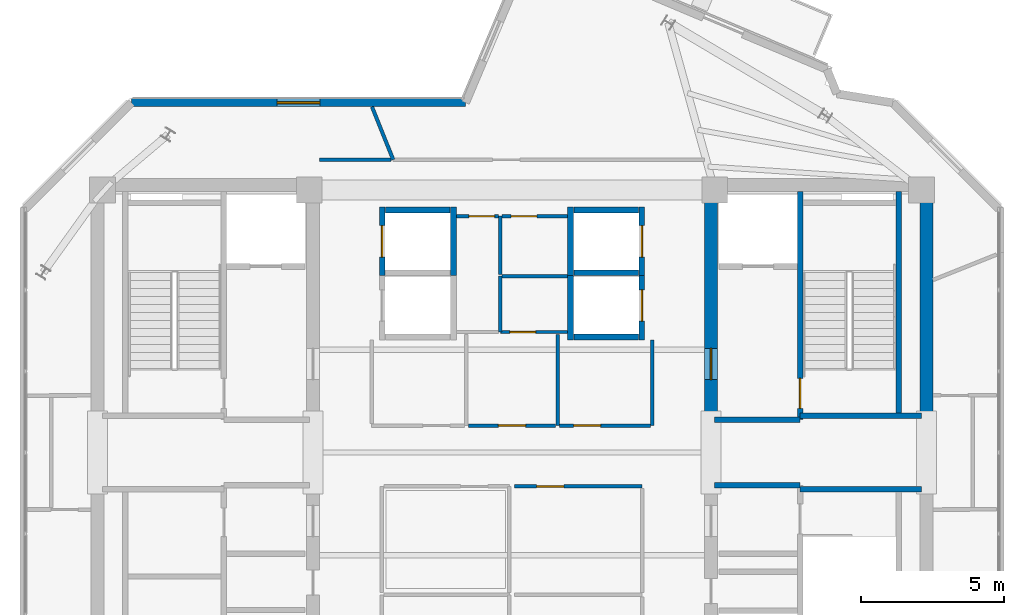
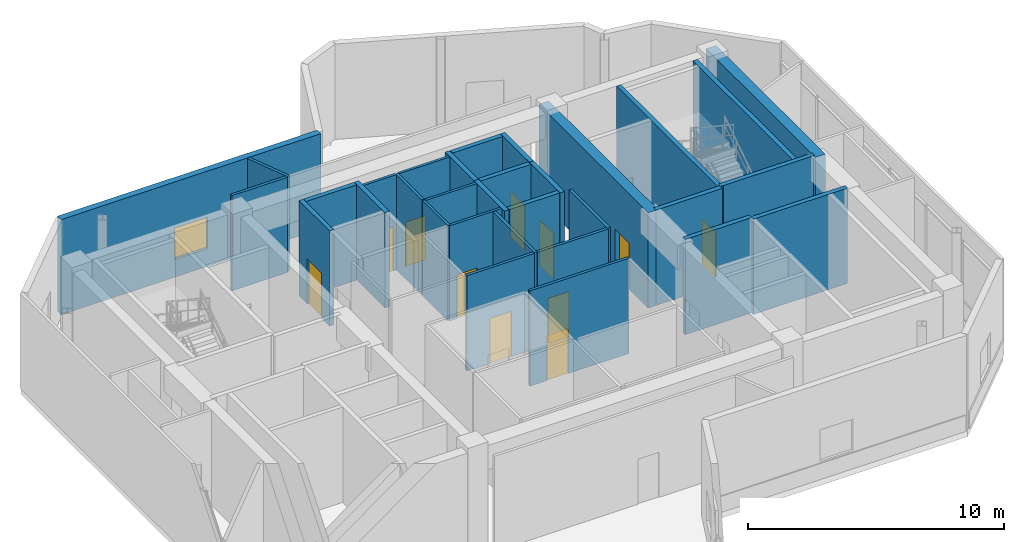
# One storey, part 8 of 11: 32 walls, 11 doors, 1 window, 12 openings.
"""IFC4 building model written with IfcOpenShell, lengths in metres."""

from ifc_helpers import new_model, si_unit, direction, frame, frame_2d, origin, place, context, subcontext, project, spatial, rectangle, extrude, source, transform, mapped, material, layer, layer_set, type_object, element, fill, save


model = new_model("IFC4")

# Units and contexts
model_context = context("Model", 3, precision=1e-05, world=origin(), true_north=direction((0.0, 1.0)))
body_context = subcontext(model_context, "Body", "Model", "MODEL_VIEW")
ifc_project = project(units=[si_unit("LENGTHUNIT", "METRE"), si_unit("AREAUNIT", "SQUARE_METRE"), si_unit("VOLUMEUNIT", "CUBIC_METRE"), si_unit("PLANEANGLEUNIT", "RADIAN"), si_unit("MASSUNIT", "GRAM", prefix="KILO")], contexts=[model_context])

# Site, building, storey
site_placement = place(None, origin())
site = spatial("IfcSite", under=ifc_project, at=site_placement, CompositionType="ELEMENT")
building_placement = place(site_placement, origin())
building = spatial("IfcBuilding", under=site, at=building_placement, Name="Zahravan Cultural Tower", CompositionType="ELEMENT")
storey_placement = place(building_placement, frame((0.0, 0.0, 365.85009765625)))
storey = spatial("IfcBuildingStorey", under=building, at=storey_placement, Name="L89", CompositionType="ELEMENT", Elevation=365.85009765625)

# Wall, opening, door
ifc_material_1 = material(Name="Concrete C50/60", Category="concrete")
ifc_layer_1 = layer(ifc_material_1, 0.449951171875)
ifc_layer_set_1 = layer_set([ifc_layer_1], Name="Concrete C50/60")
wall_type_1 = type_object("IfcWallType", Name="CW-SHEAR-450-C50", PredefinedType="SHEAR", material=ifc_layer_set_1)
wall_1_placement = place(storey_placement, frame((42.97509765625, 28.050048828125, 0.0), z_axis=(0.0, 0.0, 1.0), x_axis=(0.0, 1.0, 0.0)))
wall_1 = element("IfcWall", 1, at=wall_1_placement, inside=storey, type_object=wall_type_1, Name="L89 Core Shear Wall CW-E-WN-L89", PredefinedType="SHEAR", context=body_context, shape_type="SweptSolid", body=[
    extrude(rectangle(XDim=8.550048828125, YDim=0.449951171875, at=frame_2d((4.27490234375, 0.0))), origin(), (0.0, 0.0, 1.0), 4.5498046875),
])
opening_1_placement = place(wall_1_placement, frame((1.5, 0.0, 0.0)))
opening_1 = element("IfcOpeningElement", 2, at=opening_1_placement, cuts=wall_1, Name="Opening D-L89-07", PredefinedType="OPENING", context=body_context, shape_type="SweptSolid", body=[
    extrude(rectangle(XDim=1.10009765625, YDim=2.199951171875, at=frame_2d((0.550048828125, 1.10009765625))), frame((0.0, 0.23486328125, 0.0), z_axis=(0.0, -1.0, 0.0), x_axis=(1.0, 0.0, 0.0)), (0.0, 0.0, 1.0), 0.469970703125),
])
ifc_material_2 = material(Name="Steel ASTM A572 Grade 50", Category="steel")
door_type_1 = type_object("IfcDoorType", Name="DR-LOBBY-1100", OperationType="NOTDEFINED", PredefinedType="DOOR", material=ifc_material_2)
shared_shape_1 = source(origin(), body_context, "Body", "SweptSolid", [
    extrude(rectangle(XDim=1.10009765625, YDim=2.199951171875, at=frame_2d((0.550048828125, 1.10009765625))), frame((0.0, 0.02490234375, 0.0), z_axis=(0.0, -1.0, 0.0), x_axis=(1.0, 0.0, 0.0)), (0.0, 0.0, 1.0), 0.050048828125),
])
door_1_placement = place(opening_1_placement, origin())
door_1 = element("IfcDoor", 3, at=door_1_placement, inside=storey, type_object=door_type_1, Name="L89 Door D-L89-07", OperationType="SINGLE_SWING_RIGHT", OverallHeight=2.199951171875, OverallWidth=1.10009765625, PredefinedType="DOOR", context=body_context, shape_type="MappedRepresentation", body=[
    mapped(shared_shape_1, transform((0.0, 0.0, 0.0), x_axis=(1.0, 0.0, 0.0), y_axis=(0.0, 1.0, 0.0), z_axis=(0.0, 0.0, 1.0), scale=1.0)),
])
fill(opening_1, door_1)

# Wall, opening, window
ifc_material_3 = material(Name="Precast concrete C40/50", Category="concrete")
ifc_layer_2 = layer(ifc_material_3, 0.280029296875)
ifc_layer_set_2 = layer_set([ifc_layer_2], Name="Precast concrete C40/50")
wall_type_2 = type_object("IfcWallType", Name="EW-TC-280", PredefinedType="SOLIDWALL", material=ifc_layer_set_2)
wall_2_placement = place(storey_placement, frame((22.657958984375, 39.260009765625, 0.0), z_axis=(0.0, 0.0, 1.0), x_axis=(1.0, 0.0, 0.0)))
wall_2 = element("IfcWall", 4, at=wall_2_placement, inside=storey, type_object=wall_type_2, Name="L89 Exterior Masonry Frame Wall 16", PredefinedType="SOLIDWALL", context=body_context, shape_type="SweptSolid", body=[
    extrude(rectangle(XDim=11.715087890625, YDim=0.280029296875, at=frame_2d((5.857421875, 0.0))), origin(), (0.0, 0.0, 1.0), 4.5498046875),
])
opening_2_placement = place(wall_2_placement, frame((5.10791015625, 0.0, 0.85009765625)))
opening_2 = element("IfcOpeningElement", 5, at=opening_2_placement, cuts=wall_2, Name="Opening WN-03", PredefinedType="OPENING", context=body_context, shape_type="SweptSolid", body=[
    extrude(rectangle(XDim=1.5, YDim=1.5, at=frame_2d((0.75, 0.75))), frame((0.0, 0.14990234375, 0.0), z_axis=(0.0, -1.0, 0.0), x_axis=(1.0, 0.0, 0.0)), (0.0, 0.0, 1.0), 0.300048828125),
])
ifc_material_4 = material(Name="Low-E solar-control double glazing", Category="glass")
window_type = type_object("IfcWindowType", Name="WN-REC-1500X1500", PartitioningType="SINGLE_PANEL", PredefinedType="WINDOW", material=ifc_material_4)
shared_shape_2 = source(origin(), body_context, "Body", "SweptSolid", [
    extrude(rectangle(XDim=1.5, YDim=1.5, at=frame_2d((0.75, 0.75))), frame((0.0, 0.030029296875, 0.0), z_axis=(0.0, -1.0, 0.0), x_axis=(1.0, 0.0, 0.0)), (0.0, 0.0, 1.0), 0.06005859375),
])
window_placement = place(opening_2_placement, origin())
window = element("IfcWindow", 6, at=window_placement, inside=storey, type_object=window_type, Name="L89 Recessed Solar Window 08", OverallHeight=1.5, OverallWidth=1.5, PartitioningType="SINGLE_PANEL", PredefinedType="WINDOW", context=body_context, shape_type="MappedRepresentation", body=[
    mapped(shared_shape_2, transform((0.0, 0.0, 0.0), x_axis=(1.0, 0.0, 0.0), y_axis=(0.0, 1.0, 0.0), z_axis=(0.0, 0.0, 1.0), scale=1.0)),
])
fill(opening_2, window)

# Wall, opening, door
ifc_material_5 = material(Name="Gypsum plasterboard partition")
ifc_layer_3 = layer(ifc_material_5, 0.125)
ifc_layer_set_3 = layer_set([ifc_layer_3], Name="Gypsum plasterboard partition")
wall_type_3 = type_object("IfcWallType", Name="W-PART-125", PredefinedType="PARTITIONING", material=ifc_layer_set_3)
wall_3_placement = place(storey_placement, frame((37.532470703125, 27.93994140625, 0.0), z_axis=(0.0, 0.0, 1.0), x_axis=(-1.0, 0.0, 0.0)))
wall_3 = element("IfcWall", 7, at=wall_3_placement, inside=storey, type_object=wall_type_3, Name="L89 Interior Wall 053", PredefinedType="PARTITIONING", context=body_context, shape_type="SweptSolid", body=[
    extrude(rectangle(XDim=3.06494140625, YDim=0.125, at=frame_2d((1.532470703125, 0.0))), origin(), (0.0, 0.0, 1.0), 4.5498046875),
])
opening_3_placement = place(wall_3_placement, frame((1.0576171875, 0.0, 0.0)))
opening_3 = element("IfcOpeningElement", 8, at=opening_3_placement, cuts=wall_3, Name="Opening D-L89-21", PredefinedType="OPENING", context=body_context, shape_type="SweptSolid", body=[
    extrude(rectangle(XDim=0.949951171875, YDim=2.14990234375, at=frame_2d((0.47509765625, 1.074951171875))), frame((0.0, 0.072509765625, 0.0), z_axis=(0.0, -1.0, 0.0), x_axis=(1.0, 0.0, 0.0)), (0.0, 0.0, 1.0), 0.14501953125),
])
ifc_material_6 = material(Name="Anodised bronze-aluminium mullion", Category="aluminium")
door_type_2 = type_object("IfcDoorType", Name="DR-ROOM-950", OperationType="NOTDEFINED", PredefinedType="DOOR", material=ifc_material_6)
shared_shape_3 = source(origin(), body_context, "Body", "SweptSolid", [
    extrude(rectangle(XDim=0.949951171875, YDim=2.14990234375, at=frame_2d((0.47509765625, 1.074951171875))), frame((0.0, 0.02490234375, 0.0), z_axis=(0.0, -1.0, 0.0), x_axis=(1.0, 0.0, 0.0)), (0.0, 0.0, 1.0), 0.050048828125),
])
door_2_placement = place(opening_3_placement, origin())
door_2 = element("IfcDoor", 9, at=door_2_placement, inside=storey, type_object=door_type_2, Name="L89 Door D-L89-21", OperationType="SINGLE_SWING_RIGHT", OverallHeight=2.14990234375, OverallWidth=0.949951171875, PredefinedType="DOOR", context=body_context, shape_type="MappedRepresentation", body=[
    mapped(shared_shape_3, transform((0.0, 0.0, 0.0), x_axis=(1.0, 0.0, 0.0), y_axis=(0.0, 1.0, 0.0), z_axis=(0.0, 0.0, 1.0), scale=1.0)),
])
fill(opening_3, door_2)

wall_4_placement = place(storey_placement, frame((40.8525390625, 27.93994140625, 0.0), z_axis=(0.0, 0.0, 1.0), x_axis=(-1.0, 0.0, 0.0)))
wall_4 = element("IfcWall", 10, at=wall_4_placement, inside=storey, type_object=wall_type_3, Name="L89 Interior Wall 057", PredefinedType="PARTITIONING", context=body_context, shape_type="SweptSolid", body=[
    extrude(rectangle(XDim=3.18505859375, YDim=0.125, at=frame_2d((1.592529296875, 0.0))), origin(), (0.0, 0.0, 1.0), 4.5498046875),
])
opening_4_placement = place(wall_4_placement, frame((1.743408203125, 0.0, 0.0)))
opening_4 = element("IfcOpeningElement", 11, at=opening_4_placement, cuts=wall_4, Name="Opening D-L89-22", PredefinedType="OPENING", context=body_context, shape_type="SweptSolid", body=[
    extrude(rectangle(XDim=0.949951171875, YDim=2.14990234375, at=frame_2d((0.47509765625, 1.074951171875))), frame((0.0, 0.072509765625, 0.0), z_axis=(0.0, -1.0, 0.0), x_axis=(1.0, 0.0, 0.0)), (0.0, 0.0, 1.0), 0.14501953125),
])
door_3_placement = place(opening_4_placement, origin())
door_3 = element("IfcDoor", 12, at=door_3_placement, inside=storey, type_object=door_type_2, Name="L89 Door D-L89-22", OperationType="SINGLE_SWING_LEFT", OverallHeight=2.14990234375, OverallWidth=0.949951171875, PredefinedType="DOOR", context=body_context, shape_type="MappedRepresentation", body=[
    mapped(shared_shape_3, transform((0.0, 0.0, 0.0), x_axis=(1.0, 0.0, 0.0), y_axis=(0.0, 1.0, 0.0), z_axis=(0.0, 0.0, 1.0), scale=1.0)),
])
fill(opening_4, door_3)

wall_5_placement = place(storey_placement, frame((36.090087890625, 25.81005859375, 0.0), z_axis=(0.0, 0.0, 1.0), x_axis=(1.0, 0.0, 0.0)))
wall_5 = element("IfcWall", 13, at=wall_5_placement, inside=storey, type_object=wall_type_3, Name="L89 Interior Wall 068", PredefinedType="PARTITIONING", context=body_context, shape_type="SweptSolid", body=[
    extrude(rectangle(XDim=4.469970703125, YDim=0.125, at=frame_2d((2.23486328125, 0.0))), origin(), (0.0, 0.0, 1.0), 4.5498046875),
])
opening_5_placement = place(wall_5_placement, frame((0.7744140625, 0.0, 0.0)))
opening_5 = element("IfcOpeningElement", 14, at=opening_5_placement, cuts=wall_5, Name="Opening D-L89-17", PredefinedType="OPENING", context=body_context, shape_type="SweptSolid", body=[
    extrude(rectangle(XDim=0.949951171875, YDim=2.14990234375, at=frame_2d((0.47509765625, 1.074951171875))), frame((0.0, 0.072509765625, 0.0), z_axis=(0.0, -1.0, 0.0), x_axis=(1.0, 0.0, 0.0)), (0.0, 0.0, 1.0), 0.14501953125),
])
door_4_placement = place(opening_5_placement, origin())
door_4 = element("IfcDoor", 15, at=door_4_placement, inside=storey, type_object=door_type_2, Name="L89 Door D-L89-17", OperationType="SINGLE_SWING_RIGHT", OverallHeight=2.14990234375, OverallWidth=0.949951171875, PredefinedType="DOOR", context=body_context, shape_type="MappedRepresentation", body=[
    mapped(shared_shape_3, transform((0.0, 0.0, 0.0), x_axis=(1.0, 0.0, 0.0), y_axis=(0.0, 1.0, 0.0), z_axis=(0.0, 0.0, 1.0), scale=1.0)),
])
fill(opening_5, door_4)

ifc_material_7 = material(Name="Concrete C45/55", Category="concrete")
ifc_layer_4 = layer(ifc_material_7, 0.199951171875)
ifc_layer_set_4 = layer_set([ifc_layer_4], Name="Concrete C45/55")
wall_type_4 = type_object("IfcWallType", Name="W-SHAFT-200", PredefinedType="SOLIDWALL", material=ifc_layer_set_4)
wall_6_placement = place(storey_placement, frame((46.10009765625, 28.14990234375, 0.0), z_axis=(0.0, 0.0, 1.0), x_axis=(0.0, 1.0, 0.0)))
wall_6 = element("IfcWall", 16, at=wall_6_placement, inside=storey, type_object=wall_type_4, Name="L89 Interior Wall 008", PredefinedType="SOLIDWALL", context=body_context, shape_type="SweptSolid", body=[
    extrude(rectangle(XDim=8.0, YDim=0.199951171875, at=frame_2d((4.0, 0.0))), origin(), (0.0, 0.0, 1.0), 4.5498046875),
])
opening_6_placement = place(wall_6_placement, frame((0.39990234375, 0.0, 0.0)))
opening_6 = element("IfcOpeningElement", 17, at=opening_6_placement, cuts=wall_6, Name="Opening D-L89-02", PredefinedType="OPENING", context=body_context, shape_type="SweptSolid", body=[
    extrude(rectangle(XDim=1.050048828125, YDim=2.14990234375, at=frame_2d((0.52490234375, 1.074951171875))), frame((0.0, 0.10986328125, 0.0), z_axis=(0.0, -1.0, 0.0), x_axis=(1.0, 0.0, 0.0)), (0.0, 0.0, 1.0), 0.219970703125),
])
door_type_3 = type_object("IfcDoorType", Name="DR-STAIR-1050", OperationType="NOTDEFINED", PredefinedType="DOOR", material=ifc_material_2)
shared_shape_4 = source(origin(), body_context, "Body", "SweptSolid", [
    extrude(rectangle(XDim=1.050048828125, YDim=2.14990234375, at=frame_2d((0.52490234375, 1.074951171875))), frame((0.0, 0.02490234375, 0.0), z_axis=(0.0, -1.0, 0.0), x_axis=(1.0, 0.0, 0.0)), (0.0, 0.0, 1.0), 0.050048828125),
])
door_5_placement = place(opening_6_placement, origin())
door_5 = element("IfcDoor", 18, at=door_5_placement, inside=storey, type_object=door_type_3, Name="L89 Door D-L89-02", OperationType="SINGLE_SWING_LEFT", OverallHeight=2.14990234375, OverallWidth=1.050048828125, PredefinedType="DOOR", context=body_context, shape_type="MappedRepresentation", body=[
    mapped(shared_shape_4, transform((0.0, 0.0, 0.0), x_axis=(1.0, 0.0, 0.0), y_axis=(0.0, 1.0, 0.0), z_axis=(0.0, 0.0, 1.0), scale=1.0)),
])
fill(opening_6, door_5)

wall_7_placement = place(storey_placement, frame((31.449951171875, 33.199951171875, 0.0), z_axis=(0.0, 0.0, 1.0), x_axis=(0.0, 1.0, 0.0)))
wall_7 = element("IfcWall", 19, at=wall_7_placement, inside=storey, type_object=wall_type_4, Name="L89 Interior Wall 030", PredefinedType="SOLIDWALL", context=body_context, shape_type="SweptSolid", body=[
    extrude(rectangle(XDim=2.400146484375, YDim=0.199951171875, at=frame_2d((1.2001953125, 0.0))), origin(), (0.0, 0.0, 1.0), 4.5498046875),
])
opening_7_placement = place(wall_7_placement, frame((0.64990234375, 0.0, 0.0)))
opening_7 = element("IfcOpeningElement", 20, at=opening_7_placement, cuts=wall_7, Name="Opening LD-L89-04", PredefinedType="OPENING", context=body_context, shape_type="SweptSolid", body=[
    extrude(rectangle(XDim=1.10009765625, YDim=2.14990234375, at=frame_2d((0.550048828125, 1.074951171875))), frame((0.0, 0.10986328125, 0.0), z_axis=(0.0, -1.0, 0.0), x_axis=(1.0, 0.0, 0.0)), (0.0, 0.0, 1.0), 0.219970703125),
])
door_type_4 = type_object("IfcDoorType", Name="DR-LIFT-1100", OperationType="DOUBLE_DOOR_SLIDING", PredefinedType="DOOR", material=ifc_material_2)
shared_shape_5 = source(origin(), body_context, "Body", "SweptSolid", [
    extrude(rectangle(XDim=1.10009765625, YDim=2.14990234375, at=frame_2d((0.550048828125, 1.074951171875))), frame((0.0, 0.02490234375, 0.0), z_axis=(0.0, -1.0, 0.0), x_axis=(1.0, 0.0, 0.0)), (0.0, 0.0, 1.0), 0.050048828125),
])
door_6_placement = place(opening_7_placement, origin())
door_6 = element("IfcDoor", 21, at=door_6_placement, inside=storey, type_object=door_type_4, Name="L89 Door LD-L89-04", OperationType="DOUBLE_DOOR_SLIDING", OverallHeight=2.14990234375, OverallWidth=1.10009765625, PredefinedType="DOOR", context=body_context, shape_type="MappedRepresentation", body=[
    mapped(shared_shape_5, transform((0.0, 0.0, 0.0), x_axis=(1.0, 0.0, 0.0), y_axis=(0.0, 1.0, 0.0), z_axis=(0.0, 0.0, 1.0), scale=1.0)),
])
fill(opening_7, door_6)

wall_8_placement = place(storey_placement, frame((40.550048828125, 33.199951171875, 0.0), z_axis=(0.0, 0.0, 1.0), x_axis=(0.0, 1.0, 0.0)))
wall_8 = element("IfcWall", 22, at=wall_8_placement, inside=storey, type_object=wall_type_4, Name="L89 Interior Wall 038", PredefinedType="SOLIDWALL", context=body_context, shape_type="SweptSolid", body=[
    extrude(rectangle(XDim=2.400146484375, YDim=0.199951171875, at=frame_2d((1.2001953125, 0.0))), origin(), (0.0, 0.0, 1.0), 4.5498046875),
])
opening_8_placement = place(wall_8_placement, frame((0.64990234375, 0.0, 0.0)))
opening_8 = element("IfcOpeningElement", 23, at=opening_8_placement, cuts=wall_8, Name="Opening LD-L89-06", PredefinedType="OPENING", context=body_context, shape_type="SweptSolid", body=[
    extrude(rectangle(XDim=1.10009765625, YDim=2.14990234375, at=frame_2d((0.550048828125, 1.074951171875))), frame((0.0, 0.10986328125, 0.0), z_axis=(0.0, -1.0, 0.0), x_axis=(1.0, 0.0, 0.0)), (0.0, 0.0, 1.0), 0.219970703125),
])
door_7_placement = place(opening_8_placement, origin())
door_7 = element("IfcDoor", 24, at=door_7_placement, inside=storey, type_object=door_type_4, Name="L89 Door LD-L89-06", OperationType="DOUBLE_DOOR_SLIDING", OverallHeight=2.14990234375, OverallWidth=1.10009765625, PredefinedType="DOOR", context=body_context, shape_type="MappedRepresentation", body=[
    mapped(shared_shape_5, transform((0.0, 0.0, 0.0), x_axis=(1.0, 0.0, 0.0), y_axis=(0.0, 1.0, 0.0), z_axis=(0.0, 0.0, 1.0), scale=1.0)),
])
fill(opening_8, door_7)

wall_9_placement = place(storey_placement, frame((40.550048828125, 30.949951171875, 0.0), z_axis=(0.0, 0.0, 1.0), x_axis=(0.0, 1.0, 0.0)))
wall_9 = element("IfcWall", 25, at=wall_9_placement, inside=storey, type_object=wall_type_4, Name="L89 Interior Wall 042", PredefinedType="SOLIDWALL", context=body_context, shape_type="SweptSolid", body=[
    extrude(rectangle(XDim=2.400146484375, YDim=0.199951171875, at=frame_2d((1.2001953125, 0.0))), origin(), (0.0, 0.0, 1.0), 4.5498046875),
])
opening_9_placement = place(wall_9_placement, frame((0.64990234375, 0.0, 0.0)))
opening_9 = element("IfcOpeningElement", 26, at=opening_9_placement, cuts=wall_9, Name="Opening LD-L89-07", PredefinedType="OPENING", context=body_context, shape_type="SweptSolid", body=[
    extrude(rectangle(XDim=1.10009765625, YDim=2.14990234375, at=frame_2d((0.550048828125, 1.074951171875))), frame((0.0, 0.10986328125, 0.0), z_axis=(0.0, -1.0, 0.0), x_axis=(1.0, 0.0, 0.0)), (0.0, 0.0, 1.0), 0.219970703125),
])
door_8_placement = place(opening_9_placement, origin())
door_8 = element("IfcDoor", 27, at=door_8_placement, inside=storey, type_object=door_type_4, Name="L89 Door LD-L89-07", OperationType="DOUBLE_DOOR_SLIDING", OverallHeight=2.14990234375, OverallWidth=1.10009765625, PredefinedType="DOOR", context=body_context, shape_type="MappedRepresentation", body=[
    mapped(shared_shape_5, transform((0.0, 0.0, 0.0), x_axis=(1.0, 0.0, 0.0), y_axis=(0.0, 1.0, 0.0), z_axis=(0.0, 0.0, 1.0), scale=1.0)),
])
fill(opening_9, door_8)

ifc_layer_5 = layer(ifc_material_5, 0.114990234375)
ifc_layer_set_5 = layer_set([ifc_layer_5], Name="Gypsum plasterboard partition")
wall_type_5 = type_object("IfcWallType", Name="W-WC-115", PredefinedType="PARTITIONING", material=ifc_layer_set_5)
wall_10_placement = place(storey_placement, frame((37.945068359375, 31.219970703125, 0.0), z_axis=(0.0, 0.0, 1.0), x_axis=(-1.0, 0.0, 0.0)))
wall_10 = element("IfcWall", 28, at=wall_10_placement, inside=storey, type_object=wall_type_5, Name="L89 Interior Wall 044", PredefinedType="PARTITIONING", context=body_context, shape_type="SweptSolid", body=[
    extrude(rectangle(XDim=2.35498046875, YDim=0.114990234375, at=frame_2d((1.177490234375, 0.0))), origin(), (0.0, 0.0, 1.0), 4.5498046875),
])
opening_10_placement = place(wall_10_placement, frame((1.120849609375, 0.0, 0.0)))
opening_10 = element("IfcOpeningElement", 29, at=opening_10_placement, cuts=wall_10, Name="Opening D-L89-27", PredefinedType="OPENING", context=body_context, shape_type="SweptSolid", body=[
    extrude(rectangle(XDim=0.89990234375, YDim=2.10009765625, at=frame_2d((0.449951171875, 1.050048828125))), frame((0.0, 0.0673828125, 0.0), z_axis=(0.0, -1.0, 0.0), x_axis=(1.0, 0.0, 0.0)), (0.0, 0.0, 1.0), 0.135009765625),
])
door_type_5 = type_object("IfcDoorType", Name="DR-WC-900", OperationType="NOTDEFINED", PredefinedType="DOOR", material=ifc_material_6)
shared_shape_6 = source(origin(), body_context, "Body", "SweptSolid", [
    extrude(rectangle(XDim=0.89990234375, YDim=2.10009765625, at=frame_2d((0.449951171875, 1.050048828125))), frame((0.0, 0.02490234375, 0.0), z_axis=(0.0, -1.0, 0.0), x_axis=(1.0, 0.0, 0.0)), (0.0, 0.0, 1.0), 0.050048828125),
])
door_9_placement = place(opening_10_placement, origin())
door_9 = element("IfcDoor", 30, at=door_9_placement, inside=storey, type_object=door_type_5, Name="L89 Door D-L89-27", OperationType="SINGLE_SWING_RIGHT", OverallHeight=2.10009765625, OverallWidth=0.89990234375, PredefinedType="DOOR", context=body_context, shape_type="MappedRepresentation", body=[
    mapped(shared_shape_6, transform((0.0, 0.0, 0.0), x_axis=(1.0, 0.0, 0.0), y_axis=(0.0, 1.0, 0.0), z_axis=(0.0, 0.0, 1.0), scale=1.0)),
])
fill(opening_10, door_9)

wall_11_placement = place(storey_placement, frame((35.652587890625, 35.280029296875, 0.0), z_axis=(0.0, 0.0, 1.0), x_axis=(1.0, 0.0, 0.0)))
wall_11 = element("IfcWall", 31, at=wall_11_placement, inside=storey, type_object=wall_type_5, Name="L89 Interior Wall 048", PredefinedType="PARTITIONING", context=body_context, shape_type="SweptSolid", body=[
    extrude(rectangle(XDim=2.29248046875, YDim=0.114990234375, at=frame_2d((1.146240234375, 0.0))), origin(), (0.0, 0.0, 1.0), 4.5498046875),
])
opening_11_placement = place(wall_11_placement, frame((0.3203125, 0.0, 0.0)))
opening_11 = element("IfcOpeningElement", 32, at=opening_11_placement, cuts=wall_11, Name="Opening D-L89-19", PredefinedType="OPENING", context=body_context, shape_type="SweptSolid", body=[
    extrude(rectangle(XDim=0.89990234375, YDim=2.10009765625, at=frame_2d((0.449951171875, 1.050048828125))), frame((0.0, 0.0673828125, 0.0), z_axis=(0.0, -1.0, 0.0), x_axis=(1.0, 0.0, 0.0)), (0.0, 0.0, 1.0), 0.135009765625),
])
door_10_placement = place(opening_11_placement, origin())
door_10 = element("IfcDoor", 33, at=door_10_placement, inside=storey, type_object=door_type_5, Name="L89 Door D-L89-19", OperationType="SINGLE_SWING_RIGHT", OverallHeight=2.10009765625, OverallWidth=0.89990234375, PredefinedType="DOOR", context=body_context, shape_type="MappedRepresentation", body=[
    mapped(shared_shape_6, transform((0.0, 0.0, 0.0), x_axis=(1.0, 0.0, 0.0), y_axis=(0.0, 1.0, 0.0), z_axis=(0.0, 0.0, 1.0), scale=1.0)),
])
fill(opening_11, door_10)

wall_12_placement = place(storey_placement, frame((34.054931640625, 35.280029296875, 0.0), z_axis=(0.0, 0.0, 1.0), x_axis=(1.0, 0.0, 0.0)))
wall_12 = element("IfcWall", 34, at=wall_12_placement, inside=storey, type_object=wall_type_5, Name="L89 Interior Wall 050", PredefinedType="PARTITIONING", context=body_context, shape_type="SweptSolid", body=[
    extrude(rectangle(XDim=1.47265625, YDim=0.114990234375, at=frame_2d((0.736328125, 0.0))), origin(), (0.0, 0.0, 1.0), 4.5498046875),
])
opening_12_placement = place(wall_12_placement, frame((0.4326171875, 0.0, 0.0)))
opening_12 = element("IfcOpeningElement", 35, at=opening_12_placement, cuts=wall_12, Name="Opening D-L89-18", PredefinedType="OPENING", context=body_context, shape_type="SweptSolid", body=[
    extrude(rectangle(XDim=0.89990234375, YDim=2.10009765625, at=frame_2d((0.449951171875, 1.050048828125))), frame((0.0, 0.0673828125, 0.0), z_axis=(0.0, -1.0, 0.0), x_axis=(1.0, 0.0, 0.0)), (0.0, 0.0, 1.0), 0.135009765625),
])
door_11_placement = place(opening_12_placement, origin())
door_11 = element("IfcDoor", 36, at=door_11_placement, inside=storey, type_object=door_type_5, Name="L89 Door D-L89-18", OperationType="SINGLE_SWING_LEFT", OverallHeight=2.10009765625, OverallWidth=0.89990234375, PredefinedType="DOOR", context=body_context, shape_type="MappedRepresentation", body=[
    mapped(shared_shape_6, transform((0.0, 0.0, 0.0), x_axis=(1.0, 0.0, 0.0), y_axis=(0.0, 1.0, 0.0), z_axis=(0.0, 0.0, 1.0), scale=1.0)),
])
fill(opening_12, door_11)

# Walls
shared_shape_7 = source(origin(), body_context, "Body", "SweptSolid", [
    extrude(rectangle(XDim=8.550048828125, YDim=0.449951171875, at=frame_2d((4.27490234375, 0.0))), origin(), (0.0, 0.0, 1.0), 4.5498046875),
])
wall_13_placement = place(storey_placement, frame((50.52490234375, 28.050048828125, 0.0), z_axis=(0.0, 0.0, 1.0), x_axis=(0.0, 1.0, 0.0)))
element("IfcWall", 37, at=wall_13_placement, inside=storey, type_object=wall_type_1, Name="L89 Core Shear Wall CW-E-EN-L89", PredefinedType="SHEAR", context=body_context, shape_type="MappedRepresentation", body=[
    mapped(shared_shape_7, transform((0.0, 0.0, 0.0), x_axis=(1.0, 0.0, 0.0), y_axis=(0.0, 1.0, 0.0), z_axis=(0.0, 0.0, 1.0), scale=1.0)),
])
shared_shape_8 = source(origin(), body_context, "Body", "SweptSolid", [
    extrude(rectangle(XDim=7.869873046875, YDim=0.199951171875, at=frame_2d((3.93505859375, 0.0))), origin(), (0.0, 0.0, 1.0), 4.5498046875),
])
wall_14_placement = place(storey_placement, frame((49.550048828125, 28.280029296875, 0.0), z_axis=(0.0, 0.0, 1.0), x_axis=(0.0, 1.0, 0.0)))
element("IfcWall", 38, at=wall_14_placement, inside=storey, type_object=wall_type_4, Name="L89 Interior Wall 004", PredefinedType="SOLIDWALL", context=body_context, shape_type="MappedRepresentation", body=[
    mapped(shared_shape_8, transform((0.0, 0.0, 0.0), x_axis=(1.0, 0.0, 0.0), y_axis=(0.0, 1.0, 0.0), z_axis=(0.0, 0.0, 1.0), scale=1.0)),
])
shared_shape_9 = source(origin(), body_context, "Body", "SweptSolid", [
    extrude(rectangle(XDim=4.25, YDim=0.199951171875, at=frame_2d((2.125, 0.0))), origin(), (0.0, 0.0, 1.0), 4.5498046875),
])
for number, where, z_axis, x_axis, name in (
    (39, (46.10009765625, 25.715087890625, 0.0), (0.0, 0.0, 1.0), (1.0, 0.0, 0.0), "L89 Interior Wall 014"),
    (40, (46.10009765625, 28.284912109375, 0.0), (0.0, 0.0, 1.0), (1.0, 0.0, 0.0), "L89 Interior Wall 016"),
):
    element("IfcWall", number, at=place(storey_placement, frame(where, z_axis=z_axis, x_axis=x_axis)), inside=storey, type_object=wall_type_4, Name=name, PredefinedType="SOLIDWALL", context=body_context, shape_type="MappedRepresentation", body=[
        mapped(shared_shape_9, transform((0.0, 0.0, 0.0), x_axis=(1.0, 0.0, 0.0), y_axis=(0.0, 1.0, 0.0), z_axis=(0.0, 0.0, 1.0), scale=1.0)),
    ])
shared_shape_10 = source(origin(), body_context, "Body", "SweptSolid", [
    extrude(rectangle(XDim=3.0, YDim=0.199951171875, at=frame_2d((1.5, 0.0))), origin(), (0.0, 0.0, 1.0), 4.5498046875),
])
for number, where, z_axis, x_axis, name in (
    (41, (43.10009765625, 25.85009765625, 0.0), (0.0, 0.0, 1.0), (1.0, 0.0, 0.0), "L89 Interior Wall 013"),
    (42, (43.10009765625, 28.14990234375, 0.0), (0.0, 0.0, 1.0), (1.0, 0.0, 0.0), "L89 Interior Wall 015"),
):
    element("IfcWall", number, at=place(storey_placement, frame(where, z_axis=z_axis, x_axis=x_axis)), inside=storey, type_object=wall_type_4, Name=name, PredefinedType="SOLIDWALL", context=body_context, shape_type="MappedRepresentation", body=[
        mapped(shared_shape_10, transform((0.0, 0.0, 0.0), x_axis=(1.0, 0.0, 0.0), y_axis=(0.0, 1.0, 0.0), z_axis=(0.0, 0.0, 1.0), scale=1.0)),
    ])
shared_shape_11 = source(origin(), body_context, "Body", "SweptSolid", [
    extrude(rectangle(XDim=2.400146484375, YDim=0.199951171875, at=frame_2d((1.2001953125, 0.0))), origin(), (0.0, 0.0, 1.0), 4.5498046875),
])
for number, where, z_axis, x_axis, name in (
    (43, (33.949951171875, 33.199951171875, 0.0), (0.0, 0.0, 1.0), (0.0, 1.0, 0.0), "L89 Interior Wall 031"),
    (44, (38.050048828125, 33.199951171875, 0.0), (0.0, 0.0, 1.0), (0.0, 1.0, 0.0), "L89 Interior Wall 037"),
    (45, (38.050048828125, 30.949951171875, 0.0), (0.0, 0.0, 1.0), (0.0, 1.0, 0.0), "L89 Interior Wall 041"),
):
    element("IfcWall", number, at=place(storey_placement, frame(where, z_axis=z_axis, x_axis=x_axis)), inside=storey, type_object=wall_type_4, Name=name, PredefinedType="SOLIDWALL", context=body_context, shape_type="MappedRepresentation", body=[
        mapped(shared_shape_11, transform((0.0, 0.0, 0.0), x_axis=(1.0, 0.0, 0.0), y_axis=(0.0, 1.0, 0.0), z_axis=(0.0, 0.0, 1.0), scale=1.0)),
    ])
shared_shape_12 = source(origin(), body_context, "Body", "SweptSolid", [
    extrude(rectangle(XDim=2.260009765625, YDim=0.199951171875, at=frame_2d((1.1298828125, 0.0))), origin(), (0.0, 0.0, 1.0), 4.5498046875),
])
for number, where, z_axis, x_axis, name in (
    (46, (31.570068359375, 35.5, 0.0), (0.0, 0.0, 1.0), (1.0, 0.0, 0.0), "L89 Interior Wall 033"),
    (47, (38.169921875, 33.300048828125, 0.0), (0.0, 0.0, 1.0), (1.0, 0.0, 0.0), "L89 Interior Wall 039"),
    (48, (38.169921875, 35.5, 0.0), (0.0, 0.0, 1.0), (1.0, 0.0, 0.0), "L89 Interior Wall 040"),
    (49, (38.169921875, 31.050048828125, 0.0), (0.0, 0.0, 1.0), (1.0, 0.0, 0.0), "L89 Interior Wall 043"),
):
    element("IfcWall", number, at=place(storey_placement, frame(where, z_axis=z_axis, x_axis=x_axis)), inside=storey, type_object=wall_type_4, Name=name, PredefinedType="SOLIDWALL", context=body_context, shape_type="MappedRepresentation", body=[
        mapped(shared_shape_12, transform((0.0, 0.0, 0.0), x_axis=(1.0, 0.0, 0.0), y_axis=(0.0, 1.0, 0.0), z_axis=(0.0, 0.0, 1.0), scale=1.0)),
    ])
shared_shape_13 = source(origin(), body_context, "Body", "SweptSolid", [
    extrude(rectangle(XDim=1.9599609375, YDim=0.114990234375, at=frame_2d((0.97998046875, 0.0))), origin(), (0.0, 0.0, 1.0), 4.5498046875),
])
wall_15_placement = place(storey_placement, frame((35.590087890625, 31.219970703125, 0.0), z_axis=(0.0, 0.0, 1.0), x_axis=(0.0, 1.0, 0.0)))
element("IfcWall", 50, at=wall_15_placement, inside=storey, type_object=wall_type_5, Name="L89 Interior Wall 045", PredefinedType="PARTITIONING", context=body_context, shape_type="MappedRepresentation", body=[
    mapped(shared_shape_13, transform((0.0, 0.0, 0.0), x_axis=(1.0, 0.0, 0.0), y_axis=(0.0, 1.0, 0.0), z_axis=(0.0, 0.0, 1.0), scale=1.0)),
])
shared_shape_14 = source(origin(), body_context, "Body", "SweptSolid", [
    extrude(rectangle(XDim=2.29248046875, YDim=0.114990234375, at=frame_2d((1.146240234375, 0.0))), origin(), (0.0, 0.0, 1.0), 4.5498046875),
])
wall_16_placement = place(storey_placement, frame((35.652587890625, 33.179931640625, 0.0), z_axis=(0.0, 0.0, 1.0), x_axis=(1.0, 0.0, 0.0)))
element("IfcWall", 51, at=wall_16_placement, inside=storey, type_object=wall_type_5, Name="L89 Interior Wall 046", PredefinedType="PARTITIONING", context=body_context, shape_type="MappedRepresentation", body=[
    mapped(shared_shape_14, transform((0.0, 0.0, 0.0), x_axis=(1.0, 0.0, 0.0), y_axis=(0.0, 1.0, 0.0), z_axis=(0.0, 0.0, 1.0), scale=1.0)),
])
shared_shape_15 = source(origin(), body_context, "Body", "SweptSolid", [
    extrude(rectangle(XDim=2.0400390625, YDim=0.114990234375, at=frame_2d((1.02001953125, 0.0))), origin(), (0.0, 0.0, 1.0), 4.5498046875),
])
wall_17_placement = place(storey_placement, frame((35.590087890625, 33.239990234375, 0.0), z_axis=(0.0, 0.0, 1.0), x_axis=(0.0, 1.0, 0.0)))
element("IfcWall", 52, at=wall_17_placement, inside=storey, type_object=wall_type_5, Name="L89 Interior Wall 047", PredefinedType="PARTITIONING", context=body_context, shape_type="MappedRepresentation", body=[
    mapped(shared_shape_15, transform((0.0, 0.0, 0.0), x_axis=(1.0, 0.0, 0.0), y_axis=(0.0, 1.0, 0.0), z_axis=(0.0, 0.0, 1.0), scale=1.0)),
])
shared_shape_16 = source(origin(), body_context, "Body", "SweptSolid", [
    extrude(rectangle(XDim=3.199951171875, YDim=0.125, at=frame_2d((1.60009765625, 0.0))), origin(), (0.0, 0.0, 1.0), 4.5498046875),
])
wall_18_placement = place(storey_placement, frame((37.60009765625, 31.139892578125, 0.0), z_axis=(0.0, 0.0, 1.0), x_axis=(0.0, -1.0, 0.0)))
element("IfcWall", 53, at=wall_18_placement, inside=storey, type_object=wall_type_3, Name="L89 Interior Wall 052", PredefinedType="PARTITIONING", context=body_context, shape_type="MappedRepresentation", body=[
    mapped(shared_shape_16, transform((0.0, 0.0, 0.0), x_axis=(1.0, 0.0, 0.0), y_axis=(0.0, 1.0, 0.0), z_axis=(0.0, 0.0, 1.0), scale=1.0)),
])
shared_shape_17 = source(origin(), body_context, "Body", "SweptSolid", [
    extrude(rectangle(XDim=3.010009765625, YDim=0.125, at=frame_2d((1.5048828125, 0.0))), origin(), (0.0, 0.0, 1.0), 4.5498046875),
])
wall_19_placement = place(storey_placement, frame((40.919921875, 30.949951171875, 0.0), z_axis=(0.0, 0.0, 1.0), x_axis=(0.0, -1.0, 0.0)))
element("IfcWall", 54, at=wall_19_placement, inside=storey, type_object=wall_type_3, Name="L89 Interior Wall 056", PredefinedType="PARTITIONING", context=body_context, shape_type="MappedRepresentation", body=[
    mapped(shared_shape_17, transform((0.0, 0.0, 0.0), x_axis=(1.0, 0.0, 0.0), y_axis=(0.0, 1.0, 0.0), z_axis=(0.0, 0.0, 1.0), scale=1.0)),
])
shared_shape_18 = source(origin(), body_context, "Body", "SweptSolid", [
    extrude(rectangle(XDim=1.9990234375, YDim=0.125, at=frame_2d((0.99951171875, 0.0))), origin(), (0.0, 0.0, 1.0), 4.5498046875),
])
wall_20_placement = place(storey_placement, frame((31.09326171875, 39.114990234375, 0.0), z_axis=(0.0, 0.0, 1.0), x_axis=(0.372632747826, -0.927978898061, 0.0)))
element("IfcWall", 55, at=wall_20_placement, inside=storey, type_object=wall_type_3, Name="L89 Interior Wall 073", PredefinedType="PARTITIONING", context=body_context, shape_type="MappedRepresentation", body=[
    mapped(shared_shape_18, transform((0.0, 0.0, 0.0), x_axis=(1.0, 0.0, 0.0), y_axis=(0.0, 1.0, 0.0), z_axis=(0.0, 0.0, 1.0), scale=1.0)),
])
shared_shape_19 = source(origin(), body_context, "Body", "SweptSolid", [
    extrude(rectangle(XDim=2.510498046875, YDim=0.125, at=frame_2d((1.25537109375, 0.0))), origin(), (0.0, 0.0, 1.0), 4.5498046875),
])
wall_21_placement = place(storey_placement, frame((31.765380859375, 37.260009765625, 0.0), z_axis=(0.0, 0.0, 1.0), x_axis=(-0.999999881786, -0.000486239367, 0.0)))
element("IfcWall", 56, at=wall_21_placement, inside=storey, type_object=wall_type_3, Name="L89 Interior Wall 074", PredefinedType="PARTITIONING", context=body_context, shape_type="MappedRepresentation", body=[
    mapped(shared_shape_19, transform((0.0, 0.0, 0.0), x_axis=(1.0, 0.0, 0.0), y_axis=(0.0, 1.0, 0.0), z_axis=(0.0, 0.0, 1.0), scale=1.0)),
])

save(model, "model.ifc")
